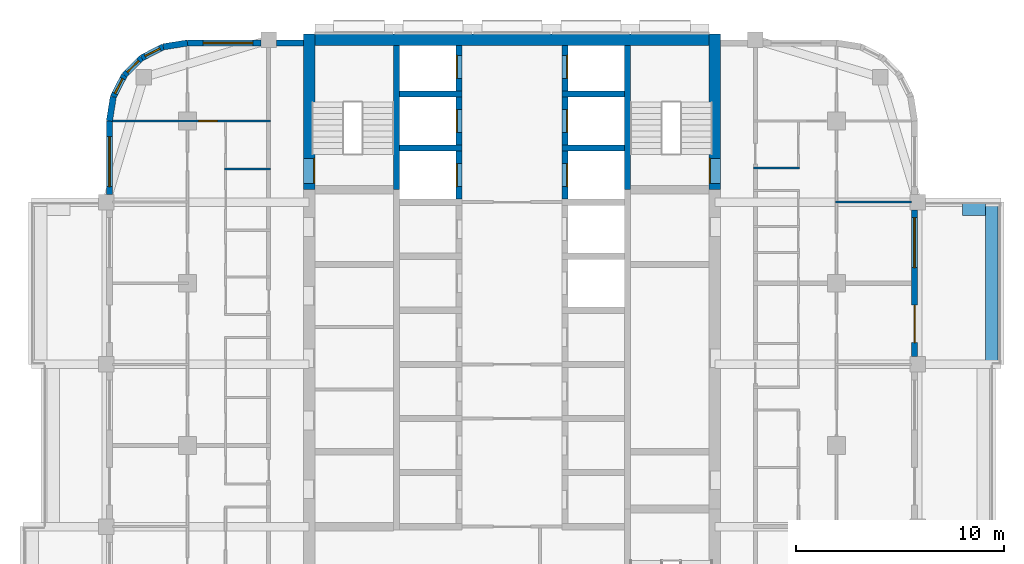
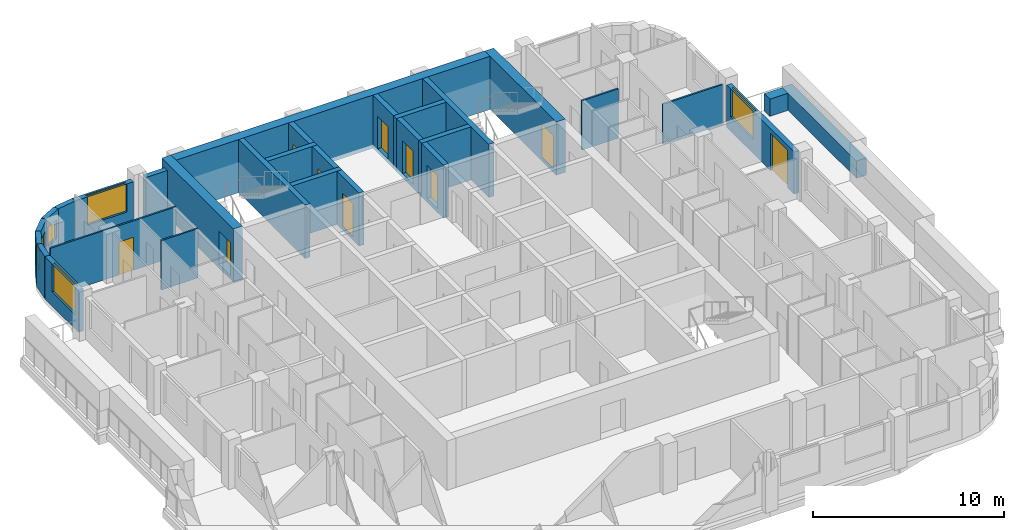
# One storey, part 8 of 13: 30 walls, 10 doors, 6 windows, 16 openings.
"""IFC4 building model written with IfcOpenShell, lengths in metres."""

from ifc_helpers import new_model, si_unit, direction, frame, frame_2d, origin, place, context, subcontext, project, spatial, rectangle, extrude, material, layer, layer_set, type_object, element, fill, save


model = new_model("IFC4")

# Units and contexts
model_context = context("Model", 3, precision=1e-05, world=origin(), true_north=direction((0.0, 1.0)))
body_context = subcontext(model_context, "Body", "Model", "MODEL_VIEW")
ifc_project = project(units=[si_unit("LENGTHUNIT", "METRE"), si_unit("AREAUNIT", "SQUARE_METRE"), si_unit("VOLUMEUNIT", "CUBIC_METRE"), si_unit("PLANEANGLEUNIT", "RADIAN"), si_unit("MASSUNIT", "GRAM", prefix="KILO")], contexts=[model_context])

# Site, building, storey
site_placement = place(None, origin())
site = spatial("IfcSite", under=ifc_project, at=site_placement, CompositionType="ELEMENT")
building_placement = place(site_placement, origin())
building = spatial("IfcBuilding", under=site, at=building_placement, Name="Ludao Terraces", CompositionType="ELEMENT")
storey_placement = place(building_placement, frame((0.0, 0.0, 186.0)))
storey = spatial("IfcBuildingStorey", under=building, at=storey_placement, Name="L50", CompositionType="ELEMENT", Elevation=186.0)

# Wall, opening, door
ifc_material_1 = material(Name="Concrete C60", Category="concrete")
ifc_layer_1 = layer(ifc_material_1, 0.550048828125)
ifc_layer_set_1 = layer_set([ifc_layer_1], Name="Core wall 550 C60")
wall_type_1 = type_object("IfcWallType", Name="Core wall 550 C60", PredefinedType="SOLIDWALL", material=ifc_layer_set_1)
wall_1_placement = place(storey_placement, frame((75.25, 77.300048828125, -0.25), z_axis=(0.0, 0.0, 1.0), x_axis=(0.0, 1.0, 0.0)))
wall_1 = element("IfcWall", 1, at=wall_1_placement, inside=storey, type_object=wall_type_1, Name="Core wall L50 outer-W-S1", PredefinedType="SOLIDWALL", context=body_context, shape_type="SweptSolid", body=[
    extrude(rectangle(XDim=7.474853515625, YDim=0.550048828125, at=frame_2d((3.7373046875, 0.0))), origin(), (0.0, 0.0, 1.0), 3.39990234375),
])
opening_1_placement = place(wall_1_placement, frame((0.300048828125, 0.0, 0.25)))
opening_1 = element("IfcOpeningElement", 2, at=opening_1_placement, cuts=wall_1, Name="Opening R18-077", PredefinedType="OPENING", context=body_context, shape_type="SweptSolid", body=[
    extrude(rectangle(XDim=1.199951171875, YDim=2.10009765625, at=frame_2d((0.60009765625, 1.050048828125))), frame((0.0, 0.28515625, 0.0), z_axis=(0.0, -1.0, 0.0), x_axis=(1.0, 0.0, 0.0)), (0.0, 0.0, 1.0), 0.570068359375),
])
ifc_material_2 = material(Name="Steel Q235", Category="steel")
door_type_1 = type_object("IfcDoorType", Name="INT Stair door 1200", OperationType="DOUBLE_DOOR_SINGLE_SWING", PredefinedType="DOOR", material=ifc_material_2)
door_1_placement = place(opening_1_placement, origin())
door_1 = element("IfcDoor", 3, at=door_1_placement, inside=storey, type_object=door_type_1, Name="DOOR 077", OperationType="DOUBLE_DOOR_SINGLE_SWING", OverallHeight=2.10009765625, OverallWidth=1.199951171875, PredefinedType="DOOR", context=body_context, shape_type="SweptSolid", body=[
    extrude(rectangle(XDim=1.199951171875, YDim=2.10009765625, at=frame_2d((0.60009765625, 1.050048828125))), frame((0.0, -0.2099609375, 0.0), z_axis=(0.0, -1.0, 0.0), x_axis=(1.0, 0.0, 0.0)), (0.0, 0.0, 1.0), 0.050048828125),
])
fill(opening_1, door_1)

wall_2_placement = place(storey_placement, frame((94.75, 77.300048828125, -0.25), z_axis=(0.0, 0.0, 1.0), x_axis=(0.0, 1.0, 0.0)))
wall_2 = element("IfcWall", 4, at=wall_2_placement, inside=storey, type_object=wall_type_1, Name="Core wall L50 outer-E-S2", PredefinedType="SOLIDWALL", context=body_context, shape_type="SweptSolid", body=[
    extrude(rectangle(XDim=7.474853515625, YDim=0.550048828125, at=frame_2d((3.7373046875, 0.0))), origin(), (0.0, 0.0, 1.0), 3.39990234375),
])
opening_2_placement = place(wall_2_placement, frame((0.300048828125, 0.0, 0.25)))
opening_2 = element("IfcOpeningElement", 5, at=opening_2_placement, cuts=wall_2, Name="Opening R18-078", PredefinedType="OPENING", context=body_context, shape_type="SweptSolid", body=[
    extrude(rectangle(XDim=1.199951171875, YDim=2.10009765625, at=frame_2d((0.60009765625, 1.050048828125))), frame((0.0, 0.28515625, 0.0), z_axis=(0.0, -1.0, 0.0), x_axis=(1.0, 0.0, 0.0)), (0.0, 0.0, 1.0), 0.570068359375),
])
door_2_placement = place(opening_2_placement, origin())
door_2 = element("IfcDoor", 6, at=door_2_placement, inside=storey, type_object=door_type_1, Name="DOOR 078", OperationType="DOUBLE_DOOR_SINGLE_SWING", OverallHeight=2.10009765625, OverallWidth=1.199951171875, PredefinedType="DOOR", context=body_context, shape_type="SweptSolid", body=[
    extrude(rectangle(XDim=1.199951171875, YDim=2.10009765625, at=frame_2d((0.60009765625, 1.050048828125))), frame((0.0, 0.26025390625, 0.0), z_axis=(0.0, -1.0, 0.0), x_axis=(1.0, 0.0, 0.0)), (0.0, 0.0, 1.0), 0.050048828125),
])
fill(opening_2, door_2)

# Walls
wall_3_placement = place(storey_placement, frame((75.52490234375, 84.5, -0.25), z_axis=(0.0, 0.0, 1.0), x_axis=(1.0, 0.0, 0.0)))
element("IfcWall", 7, at=wall_3_placement, inside=storey, type_object=wall_type_1, Name="Core wall L50 outer-N", PredefinedType="SOLIDWALL", context=body_context, shape_type="SweptSolid", body=[
    extrude(rectangle(XDim=18.9501953125, YDim=0.550048828125, at=frame_2d((9.47509765625, 0.0))), origin(), (0.0, 0.0, 1.0), 3.39990234375),
])
ifc_material_3 = material(Name="Concrete C40", Category="concrete")
ifc_layer_2 = layer(ifc_material_3, 0.60009765625)
ifc_layer_set_2 = layer_set([ifc_layer_2], Name="ENV Planter trough 600")
wall_type_2 = type_object("IfcWallType", Name="ENV Planter trough 600", PredefinedType="USERDEFINED", material=ifc_layer_set_2)
wall_4_placement = place(storey_placement, frame((108.050048828125, 68.89990234375, 0.0), z_axis=(0.0, 0.0, 1.0), x_axis=(0.0, 1.0, 0.0)))
element("IfcWall", 8, at=wall_4_placement, inside=storey, type_object=wall_type_2, Name="PL-L50-E3", ObjectType="PLANTER", PredefinedType="USERDEFINED", context=body_context, shape_type="SweptSolid", body=[
    extrude(rectangle(XDim=7.800048828125, YDim=0.60009765625, at=frame_2d((3.89990234375, 0.0))), origin(), (0.0, 0.0, 1.0), 1.10009765625),
])
wall_5_placement = place(storey_placement, frame((107.75, 76.35009765625, 0.0), z_axis=(0.0, 0.0, 1.0), x_axis=(-1.0, 0.0, 0.0)))
element("IfcWall", 9, at=wall_5_placement, inside=storey, type_object=wall_type_2, Name="PL-L50-E3-SB", ObjectType="PLANTER", PredefinedType="USERDEFINED", context=body_context, shape_type="SweptSolid", body=[
    extrude(rectangle(XDim=1.10009765625, YDim=0.60009765625, at=frame_2d((0.550048828125, 0.0))), origin(), (0.0, 0.0, 1.0), 1.10009765625),
])

# Wall, openings, door, window
ifc_material_4 = material(Name="Granite cladding", Category="masonry")
ifc_layer_3 = layer(ifc_material_4, 0.0400390625, Category="stone")
ifc_material_5 = material(Name="Mineral wool")
ifc_layer_4 = layer(ifc_material_5, 0.06005859375)
ifc_layer_5 = layer(ifc_material_3, 0.199951171875, Category="concrete")
ifc_layer_set_3 = layer_set([ifc_layer_3, ifc_layer_4, ifc_layer_5], Name="ENV Stone-clad wall 300")
wall_type_3 = type_object("IfcWallType", Name="ENV Stone-clad wall 300", PredefinedType="SOLIDWALL", material=ifc_layer_set_3)
wall_6_placement = place(storey_placement, frame((104.35009765625, 69.27490234375, 0.0), z_axis=(0.0, 0.0, 1.0), x_axis=(0.0, 1.0, 0.0)))
wall_6 = element("IfcWall", 10, at=wall_6_placement, inside=storey, type_object=wall_type_3, Name="EW-L50-E4", PredefinedType="SOLIDWALL", context=body_context, shape_type="SweptSolid", body=[
    extrude(rectangle(XDim=7.050048828125, YDim=0.300048828125, at=frame_2d((3.52490234375, 0.0))), origin(), (0.0, 0.0, 1.0), 2.699951171875),
])
opening_3_placement = place(wall_6_placement, frame((0.675048828125, 0.0, 0.0)))
opening_3 = element("IfcOpeningElement", 11, at=opening_3_placement, cuts=wall_6, Name="Opening BD", PredefinedType="OPENING", context=body_context, shape_type="SweptSolid", body=[
    extrude(rectangle(XDim=1.800048828125, YDim=2.39990234375, at=frame_2d((0.89990234375, 1.199951171875))), frame((0.0, 0.16015625, 0.0), z_axis=(0.0, -1.0, 0.0), x_axis=(1.0, 0.0, 0.0)), (0.0, 0.0, 1.0), 0.320068359375),
])
opening_4_placement = place(wall_6_placement, frame((4.27490234375, 0.0, 0.89990234375)))
opening_4 = element("IfcOpeningElement", 12, at=opening_4_placement, cuts=wall_6, Name="Opening W1", PredefinedType="OPENING", context=body_context, shape_type="SweptSolid", body=[
    extrude(rectangle(XDim=2.39990234375, YDim=1.800048828125, at=frame_2d((1.199951171875, 0.89990234375))), frame((0.0, 0.16015625, 0.0), z_axis=(0.0, -1.0, 0.0), x_axis=(1.0, 0.0, 0.0)), (0.0, 0.0, 1.0), 0.320068359375),
])
ifc_material_6 = material(Name="Aluminium glazed door", Category="aluminium")
ifc_layer_6 = layer(ifc_material_6, 0.06005859375)
ifc_layer_set_4 = layer_set([ifc_layer_6], Name="ENV Balcony door BD 1800x2400")
door_type_2 = type_object("IfcDoorType", Name="ENV Balcony door BD 1800x2400", OperationType="DOUBLE_DOOR_SINGLE_SWING", PredefinedType="DOOR", material=ifc_layer_set_4)
door_3_placement = place(opening_3_placement, origin())
door_3 = element("IfcDoor", 13, at=door_3_placement, inside=storey, type_object=door_type_2, Name="BD-L50-E4-1", OperationType="DOUBLE_DOOR_SINGLE_SWING", OverallHeight=2.39990234375, OverallWidth=1.800048828125, PredefinedType="DOOR", context=body_context, shape_type="SweptSolid", body=[
    extrude(rectangle(XDim=1.800048828125, YDim=2.39990234375, at=frame_2d((0.89990234375, 1.199951171875))), frame((0.0, 0.02490234375, 0.0), z_axis=(0.0, -1.0, 0.0), x_axis=(1.0, 0.0, 0.0)), (0.0, 0.0, 1.0), 0.050048828125),
])
fill(opening_3, door_3)
ifc_material_7 = material(Name="Clear glass in aluminium frame", Category="aluminium")
ifc_layer_7 = layer(ifc_material_7, 0.06005859375)
ifc_layer_set_5 = layer_set([ifc_layer_7], Name="ENV Window W1 2400x1800")
window_type_1 = type_object("IfcWindowType", Name="ENV Window W1 2400x1800", PartitioningType="DOUBLE_PANEL_VERTICAL", PredefinedType="WINDOW", material=ifc_layer_set_5)
window_1_placement = place(opening_4_placement, origin())
window_1 = element("IfcWindow", 14, at=window_1_placement, inside=storey, type_object=window_type_1, Name="W-L50-E4-2", OverallHeight=1.800048828125, OverallWidth=2.39990234375, PartitioningType="DOUBLE_PANEL_VERTICAL", PredefinedType="WINDOW", context=body_context, shape_type="SweptSolid", body=[
    extrude(rectangle(XDim=2.39990234375, YDim=1.800048828125, at=frame_2d((1.199951171875, 0.89990234375))), frame((0.0, 0.030029296875, 0.0), z_axis=(0.0, -1.0, 0.0), x_axis=(1.0, 0.0, 0.0)), (0.0, 0.0, 1.0), 0.06005859375),
])
fill(opening_4, window_1)

# Wall, opening, window
wall_7_placement = place(storey_placement, frame((69.39990234375, 84.35009765625, 0.0), z_axis=(0.0, 0.0, 1.0), x_axis=(1.0, 0.0, 0.0)))
wall_7 = element("IfcWall", 15, at=wall_7_placement, inside=storey, type_object=wall_type_3, Name="EW-L50-N1", PredefinedType="SOLIDWALL", context=body_context, shape_type="SweptSolid", body=[
    extrude(rectangle(XDim=3.525146484375, YDim=0.300048828125, at=frame_2d((1.7626953125, 0.0))), origin(), (0.0, 0.0, 1.0), 2.699951171875),
])
opening_5_placement = place(wall_7_placement, frame((0.75, 0.0, 0.89990234375)))
opening_5 = element("IfcOpeningElement", 16, at=opening_5_placement, cuts=wall_7, Name="Opening W1", PredefinedType="OPENING", context=body_context, shape_type="SweptSolid", body=[
    extrude(rectangle(XDim=2.39990234375, YDim=1.800048828125, at=frame_2d((1.199951171875, 0.89990234375))), frame((0.0, 0.16015625, 0.0), z_axis=(0.0, -1.0, 0.0), x_axis=(1.0, 0.0, 0.0)), (0.0, 0.0, 1.0), 0.320068359375),
])
window_2_placement = place(opening_5_placement, origin())
window_2 = element("IfcWindow", 17, at=window_2_placement, inside=storey, type_object=window_type_1, Name="W-L50-N1-1", OverallHeight=1.800048828125, OverallWidth=2.39990234375, PartitioningType="DOUBLE_PANEL_VERTICAL", PredefinedType="WINDOW", context=body_context, shape_type="SweptSolid", body=[
    extrude(rectangle(XDim=2.39990234375, YDim=1.800048828125, at=frame_2d((1.199951171875, 0.89990234375))), frame((0.0, 0.030029296875, 0.0), z_axis=(0.0, -1.0, 0.0), x_axis=(1.0, 0.0, 0.0)), (0.0, 0.0, 1.0), 0.06005859375),
])
fill(opening_5, window_2)

# Wall
wall_8_placement = place(storey_placement, frame((73.675048828125, 84.35009765625, 0.0), z_axis=(0.0, 0.0, 1.0), x_axis=(1.0, 0.0, 0.0)))
element("IfcWall", 18, at=wall_8_placement, inside=storey, type_object=wall_type_3, Name="EW-L50-N2", PredefinedType="SOLIDWALL", context=body_context, shape_type="SweptSolid", body=[
    extrude(rectangle(XDim=1.300048828125, YDim=0.300048828125, at=frame_2d((0.64990234375, 0.0))), origin(), (0.0, 0.0, 1.0), 2.699951171875),
])

# Wall, opening, window
wall_9_placement = place(storey_placement, frame((65.64990234375, 77.074951171875, 0.0), z_axis=(0.0, 0.0, 1.0), x_axis=(0.0, 1.0, 0.0)))
wall_9 = element("IfcWall", 19, at=wall_9_placement, inside=storey, type_object=wall_type_3, Name="EW-L50-W5", PredefinedType="SOLIDWALL", context=body_context, shape_type="SweptSolid", body=[
    extrude(rectangle(XDim=3.525146484375, YDim=0.300048828125, at=frame_2d((1.7626953125, 0.0))), origin(), (0.0, 0.0, 1.0), 2.699951171875),
])
opening_6_placement = place(wall_9_placement, frame((0.375, 0.0, 0.89990234375)))
opening_6 = element("IfcOpeningElement", 20, at=opening_6_placement, cuts=wall_9, Name="Opening W1", PredefinedType="OPENING", context=body_context, shape_type="SweptSolid", body=[
    extrude(rectangle(XDim=2.39990234375, YDim=1.800048828125, at=frame_2d((1.199951171875, 0.89990234375))), frame((0.0, 0.16015625, 0.0), z_axis=(0.0, -1.0, 0.0), x_axis=(1.0, 0.0, 0.0)), (0.0, 0.0, 1.0), 0.320068359375),
])
window_3_placement = place(opening_6_placement, origin())
window_3 = element("IfcWindow", 21, at=window_3_placement, inside=storey, type_object=window_type_1, Name="W-L50-W5-1", OverallHeight=1.800048828125, OverallWidth=2.39990234375, PartitioningType="DOUBLE_PANEL_VERTICAL", PredefinedType="WINDOW", context=body_context, shape_type="SweptSolid", body=[
    extrude(rectangle(XDim=2.39990234375, YDim=1.800048828125, at=frame_2d((1.199951171875, 0.89990234375))), frame((0.0, 0.030029296875, 0.0), z_axis=(0.0, -1.0, 0.0), x_axis=(1.0, 0.0, 0.0)), (0.0, 0.0, 1.0), 0.06005859375),
])
fill(opening_6, window_3)

# Wall
wall_10_placement = place(storey_placement, frame((69.39990234375, 84.35009765625, 0.0), z_axis=(0.0, 0.0, 1.0), x_axis=(-0.987678452879, -0.156496880861, 0.0)))
element("IfcWall", 22, at=wall_10_placement, inside=storey, type_object=wall_type_3, Name="EW-L50-NW1", PredefinedType="SOLIDWALL", context=body_context, shape_type="SweptSolid", body=[
    extrude(rectangle(XDim=1.173095703125, YDim=0.300048828125, at=frame_2d((0.58642578125, 0.0))), origin(), (0.0, 0.0, 1.0), 2.699951171875),
])

# Wall, opening, window
wall_11_placement = place(storey_placement, frame((68.2412109375, 84.16650390625, 0.0), z_axis=(0.0, 0.0, 1.0), x_axis=(-0.890988677504, -0.454025524128, 0.0)))
wall_11 = element("IfcWall", 23, at=wall_11_placement, inside=storey, type_object=wall_type_3, Name="EW-L50-NW2", PredefinedType="SOLIDWALL", context=body_context, shape_type="SweptSolid", body=[
    extrude(rectangle(XDim=1.17333984375, YDim=0.300048828125, at=frame_2d((0.586669921875, 0.0))), origin(), (0.0, 0.0, 1.0), 2.699951171875),
])
opening_7_placement = place(wall_11_placement, frame((0.1865234375, 0.0, 0.89990234375)))
opening_7 = element("IfcOpeningElement", 24, at=opening_7_placement, cuts=wall_11, Name="Opening W3", PredefinedType="OPENING", context=body_context, shape_type="SweptSolid", body=[
    extrude(rectangle(XDim=0.800048828125, YDim=1.199951171875, at=frame_2d((0.39990234375, 0.60009765625))), frame((0.0, 0.16015625, 0.0), z_axis=(0.0, -1.0, 0.0), x_axis=(1.0, 0.0, 0.0)), (0.0, 0.0, 1.0), 0.320068359375),
])
ifc_layer_8 = layer(ifc_material_7, 0.06005859375)
ifc_layer_set_6 = layer_set([ifc_layer_8], Name="ENV Window W3 800x1200")
window_type_2 = type_object("IfcWindowType", Name="ENV Window W3 800x1200", PartitioningType="SINGLE_PANEL", PredefinedType="WINDOW", material=ifc_layer_set_6)
window_4_placement = place(opening_7_placement, origin())
window_4 = element("IfcWindow", 25, at=window_4_placement, inside=storey, type_object=window_type_2, Name="W-L50-NW2", OverallHeight=1.199951171875, OverallWidth=0.800048828125, PartitioningType="SINGLE_PANEL", PredefinedType="WINDOW", context=body_context, shape_type="SweptSolid", body=[
    extrude(rectangle(XDim=0.800048828125, YDim=1.199951171875, at=frame_2d((0.39990234375, 0.60009765625))), frame((0.0, 0.030029296875, 0.0), z_axis=(0.0, -1.0, 0.0), x_axis=(1.0, 0.0, 0.0)), (0.0, 0.0, 1.0), 0.06005859375),
])
fill(opening_7, window_4)

wall_12_placement = place(storey_placement, frame((67.19580078125, 83.6337890625, 0.0), z_axis=(0.0, 0.0, 1.0), x_axis=(-0.707106781187, -0.707106781187, 0.0)))
wall_12 = element("IfcWall", 26, at=wall_12_placement, inside=storey, type_object=wall_type_3, Name="EW-L50-NW3", PredefinedType="SOLIDWALL", context=body_context, shape_type="SweptSolid", body=[
    extrude(rectangle(XDim=1.173095703125, YDim=0.300048828125, at=frame_2d((0.58642578125, 0.0))), origin(), (0.0, 0.0, 1.0), 2.699951171875),
])
opening_8_placement = place(wall_12_placement, frame((0.1865234375, 0.0, 0.89990234375)))
opening_8 = element("IfcOpeningElement", 27, at=opening_8_placement, cuts=wall_12, Name="Opening W3", PredefinedType="OPENING", context=body_context, shape_type="SweptSolid", body=[
    extrude(rectangle(XDim=0.800048828125, YDim=1.199951171875, at=frame_2d((0.39990234375, 0.60009765625))), frame((0.0, 0.16015625, 0.0), z_axis=(0.0, -1.0, 0.0), x_axis=(1.0, 0.0, 0.0)), (0.0, 0.0, 1.0), 0.320068359375),
])
window_5_placement = place(opening_8_placement, origin())
window_5 = element("IfcWindow", 28, at=window_5_placement, inside=storey, type_object=window_type_2, Name="W-L50-NW3", OverallHeight=1.199951171875, OverallWidth=0.800048828125, PartitioningType="SINGLE_PANEL", PredefinedType="WINDOW", context=body_context, shape_type="SweptSolid", body=[
    extrude(rectangle(XDim=0.800048828125, YDim=1.199951171875, at=frame_2d((0.39990234375, 0.60009765625))), frame((0.0, 0.030029296875, 0.0), z_axis=(0.0, -1.0, 0.0), x_axis=(1.0, 0.0, 0.0)), (0.0, 0.0, 1.0), 0.06005859375),
])
fill(opening_8, window_5)

wall_13_placement = place(storey_placement, frame((66.3662109375, 82.80419921875, 0.0), z_axis=(0.0, 0.0, 1.0), x_axis=(-0.454025524128, -0.890988677504, 0.0)))
wall_13 = element("IfcWall", 29, at=wall_13_placement, inside=storey, type_object=wall_type_3, Name="EW-L50-NW4", PredefinedType="SOLIDWALL", context=body_context, shape_type="SweptSolid", body=[
    extrude(rectangle(XDim=1.17333984375, YDim=0.300048828125, at=frame_2d((0.586669921875, 0.0))), origin(), (0.0, 0.0, 1.0), 2.699951171875),
])
opening_9_placement = place(wall_13_placement, frame((0.1865234375, 0.0, 0.89990234375)))
opening_9 = element("IfcOpeningElement", 30, at=opening_9_placement, cuts=wall_13, Name="Opening W3", PredefinedType="OPENING", context=body_context, shape_type="SweptSolid", body=[
    extrude(rectangle(XDim=0.800048828125, YDim=1.199951171875, at=frame_2d((0.39990234375, 0.60009765625))), frame((0.0, 0.16015625, 0.0), z_axis=(0.0, -1.0, 0.0), x_axis=(1.0, 0.0, 0.0)), (0.0, 0.0, 1.0), 0.320068359375),
])
window_6_placement = place(opening_9_placement, origin())
window_6 = element("IfcWindow", 31, at=window_6_placement, inside=storey, type_object=window_type_2, Name="W-L50-NW4", OverallHeight=1.199951171875, OverallWidth=0.800048828125, PartitioningType="SINGLE_PANEL", PredefinedType="WINDOW", context=body_context, shape_type="SweptSolid", body=[
    extrude(rectangle(XDim=0.800048828125, YDim=1.199951171875, at=frame_2d((0.39990234375, 0.60009765625))), frame((0.0, 0.030029296875, 0.0), z_axis=(0.0, -1.0, 0.0), x_axis=(1.0, 0.0, 0.0)), (0.0, 0.0, 1.0), 0.06005859375),
])
fill(opening_9, window_6)

# Walls
wall_14_placement = place(storey_placement, frame((65.83349609375, 81.7587890625, 0.0), z_axis=(0.0, 0.0, 1.0), x_axis=(-0.156496880861, -0.987678452879, 0.0)))
element("IfcWall", 32, at=wall_14_placement, inside=storey, type_object=wall_type_3, Name="EW-L50-NW5", PredefinedType="SOLIDWALL", context=body_context, shape_type="SweptSolid", body=[
    extrude(rectangle(XDim=1.173095703125, YDim=0.300048828125, at=frame_2d((0.58642578125, 0.0))), origin(), (0.0, 0.0, 1.0), 2.699951171875),
])
ifc_material_8 = material(Name="Gypsum plasterboard", Category="gypsum")
ifc_layer_9 = layer(ifc_material_8, 0.012451171875, Category="gypsum")
ifc_layer_10 = layer(ifc_material_5, 0.06005859375, Name="insulation")
ifc_layer_11 = layer(ifc_material_2, 0.014892578125, Name="stud")
ifc_layer_12 = layer(ifc_material_8, 0.012451171875, Category="gypsum")
ifc_layer_set_7 = layer_set([ifc_layer_9, ifc_layer_10, ifc_layer_11, ifc_layer_12], Name="INT Partition 100")
wall_type_4 = type_object("IfcWallType", Name="INT Partition 100", PredefinedType="PARTITIONING", material=ifc_layer_set_7)
wall_15_placement = place(storey_placement, frame((100.550048828125, 76.699951171875, 0.0), z_axis=(0.0, 0.0, 1.0), x_axis=(1.0, 0.0, 0.0)))
element("IfcWall", 33, at=wall_15_placement, inside=storey, type_object=wall_type_4, Name="PW-L50-PW043", PredefinedType="PARTITIONING", context=body_context, shape_type="SweptSolid", body=[
    extrude(rectangle(XDim=3.650146484375, YDim=0.10009765625, at=frame_2d((1.8251953125, 0.0))), origin(), (0.0, 0.0, 1.0), 2.550048828125),
])
for number, where, z_axis, x_axis, name in (
    (34, (71.18017578125, 78.300048828125, 0.0), (0.0, 0.0, 1.0), (1.0, 0.0, 0.0), "PW-L50-PW045"),
    (35, (96.60009765625, 78.35009765625, 0.0), (0.0, 0.0, 1.0), (1.0, 0.0, 0.0), "PW-L50-PW046"),
):
    element("IfcWall", number, at=place(storey_placement, frame(where, z_axis=z_axis, x_axis=x_axis)), inside=storey, type_object=wall_type_4, Name=name, PredefinedType="PARTITIONING", context=body_context, shape_type="SweptSolid", body=[
        extrude(rectangle(XDim=2.219970703125, YDim=0.10009765625, at=frame_2d((1.10986328125, 0.0))), origin(), (0.0, 0.0, 1.0), 3.14990234375),
    ])

# Wall, opening, door
wall_16_placement = place(storey_placement, frame((65.800048828125, 80.60009765625, 0.0), z_axis=(0.0, 0.0, 1.0), x_axis=(1.0, 0.0, 0.0)))
wall_16 = element("IfcWall", 36, at=wall_16_placement, inside=storey, type_object=wall_type_4, Name="PW-L50-PW047", PredefinedType="PARTITIONING", context=body_context, shape_type="SweptSolid", body=[
    extrude(rectangle(XDim=7.60009765625, YDim=0.10009765625, at=frame_2d((3.800048828125, 0.0))), origin(), (0.0, 0.0, 1.0), 3.14990234375),
])
opening_10_placement = place(wall_16_placement, frame((4.139892578125, 0.0, 0.0)))
opening_10 = element("IfcOpeningElement", 37, at=opening_10_placement, cuts=wall_16, Name="Opening R18-084", PredefinedType="OPENING", context=body_context, shape_type="SweptSolid", body=[
    extrude(rectangle(XDim=0.89990234375, YDim=2.10009765625, at=frame_2d((0.449951171875, 1.050048828125))), frame((0.0, 0.06005859375, 0.0), z_axis=(0.0, -1.0, 0.0), x_axis=(1.0, 0.0, 0.0)), (0.0, 0.0, 1.0), 0.1201171875),
])
ifc_material_9 = material(Name="Timber door leaf", Category="wood")
door_type_3 = type_object("IfcDoorType", Name="INT Room door 900", OperationType="SINGLE_SWING_LEFT", PredefinedType="DOOR", material=ifc_material_9)
door_4_placement = place(opening_10_placement, origin())
door_4 = element("IfcDoor", 38, at=door_4_placement, inside=storey, type_object=door_type_3, Name="DOOR 084", OperationType="SINGLE_SWING_LEFT", OverallHeight=2.10009765625, OverallWidth=0.89990234375, PredefinedType="DOOR", context=body_context, shape_type="SweptSolid", body=[
    extrude(rectangle(XDim=0.89990234375, YDim=2.10009765625, at=frame_2d((0.449951171875, 1.050048828125))), frame((0.0, 0.02490234375, 0.0), z_axis=(0.0, -1.0, 0.0), x_axis=(1.0, 0.0, 0.0)), (0.0, 0.0, 1.0), 0.050048828125),
])
fill(opening_10, door_4)

# Walls
ifc_material_10 = material(Name="Concrete C55", Category="concrete")
ifc_layer_13 = layer(ifc_material_10, 0.300048828125)
ifc_layer_set_8 = layer_set([ifc_layer_13], Name="Shaft wall 300 C55")
wall_type_5 = type_object("IfcWallType", Name="Shaft wall 300 C55", PredefinedType="SOLIDWALL", material=ifc_layer_set_8)
for number, where, z_axis, x_axis, name in (
    (39, (79.449951171875, 77.300048828125, -0.25), (0.0, 0.0, 1.0), (0.0, 1.0, 0.0), "Core wall L50 back-W-S1"),
    (40, (90.550048828125, 77.300048828125, -0.25), (0.0, 0.0, 1.0), (0.0, 1.0, 0.0), "Core wall L50 back-E-S2"),
):
    element("IfcWall", number, at=place(storey_placement, frame(where, z_axis=z_axis, x_axis=x_axis)), inside=storey, type_object=wall_type_5, Name=name, PredefinedType="SOLIDWALL", context=body_context, shape_type="SweptSolid", body=[
        extrude(rectangle(XDim=6.925048828125, YDim=0.300048828125, at=frame_2d((3.46240234375, 0.0))), origin(), (0.0, 0.0, 1.0), 3.39990234375),
    ])

# Wall, opening, door
wall_17_placement = place(storey_placement, frame((82.449951171875, 76.85009765625, -0.25), z_axis=(0.0, 0.0, 1.0), x_axis=(0.0, 1.0, 0.0)))
wall_17 = element("IfcWall", 41, at=wall_17_placement, inside=storey, type_object=wall_type_5, Name="Core wall L50 front-W7", PredefinedType="SOLIDWALL", context=body_context, shape_type="SweptSolid", body=[
    extrude(rectangle(XDim=2.2998046875, YDim=0.300048828125, at=frame_2d((1.14990234375, 0.0))), origin(), (0.0, 0.0, 1.0), 3.39990234375),
])
opening_11_placement = place(wall_17_placement, frame((0.60009765625, 0.0, 0.25)))
opening_11 = element("IfcOpeningElement", 42, at=opening_11_placement, cuts=wall_17, Name="Opening LD-FF1", PredefinedType="OPENING", context=body_context, shape_type="SweptSolid", body=[
    extrude(rectangle(XDim=1.10009765625, YDim=2.10009765625, at=frame_2d((0.550048828125, 1.050048828125))), frame((0.0, 0.16015625, 0.0), z_axis=(0.0, -1.0, 0.0), x_axis=(1.0, 0.0, 0.0)), (0.0, 0.0, 1.0), 0.320068359375),
])
ifc_material_11 = material(Name="Stainless steel 304", Category="steel")
door_type_4 = type_object("IfcDoorType", Name="INT Lift landing door 1100", OperationType="SLIDING_TO_LEFT", PredefinedType="DOOR", material=ifc_material_11)
door_5_placement = place(opening_11_placement, origin())
door_5 = element("IfcDoor", 43, at=door_5_placement, inside=storey, type_object=door_type_4, Name="LANDING DOOR FF1 L50", OperationType="SLIDING_TO_LEFT", OverallHeight=2.10009765625, OverallWidth=1.10009765625, PredefinedType="DOOR", context=body_context, shape_type="SweptSolid", body=[
    extrude(rectangle(XDim=1.10009765625, YDim=2.10009765625, at=frame_2d((0.550048828125, 1.050048828125))), frame((0.0, 0.13525390625, 0.0), z_axis=(0.0, -1.0, 0.0), x_axis=(1.0, 0.0, 0.0)), (0.0, 0.0, 1.0), 0.050048828125),
])
fill(opening_11, door_5)

# Wall
wall_18_placement = place(storey_placement, frame((79.60009765625, 79.300048828125, -0.25), z_axis=(0.0, 0.0, 1.0), x_axis=(1.0, 0.0, 0.0)))
element("IfcWall", 44, at=wall_18_placement, inside=storey, type_object=wall_type_5, Name="Core wall L50 div-W8", PredefinedType="SOLIDWALL", context=body_context, shape_type="SweptSolid", body=[
    extrude(rectangle(XDim=3.0, YDim=0.300048828125, at=frame_2d((1.5, 0.0))), origin(), (0.0, 0.0, 1.0), 3.39990234375),
])

# Wall, opening, door
wall_19_placement = place(storey_placement, frame((82.449951171875, 79.449951171875, -0.25), z_axis=(0.0, 0.0, 1.0), x_axis=(0.0, 1.0, 0.0)))
wall_19 = element("IfcWall", 45, at=wall_19_placement, inside=storey, type_object=wall_type_5, Name="Core wall L50 front-W8", PredefinedType="SOLIDWALL", context=body_context, shape_type="SweptSolid", body=[
    extrude(rectangle(XDim=2.300048828125, YDim=0.300048828125, at=frame_2d((1.14990234375, 0.0))), origin(), (0.0, 0.0, 1.0), 3.39990234375),
])
opening_12_placement = place(wall_19_placement, frame((0.60009765625, 0.0, 0.25)))
opening_12 = element("IfcOpeningElement", 46, at=opening_12_placement, cuts=wall_19, Name="Opening LD-FF2", PredefinedType="OPENING", context=body_context, shape_type="SweptSolid", body=[
    extrude(rectangle(XDim=1.10009765625, YDim=2.10009765625, at=frame_2d((0.550048828125, 1.050048828125))), frame((0.0, 0.16015625, 0.0), z_axis=(0.0, -1.0, 0.0), x_axis=(1.0, 0.0, 0.0)), (0.0, 0.0, 1.0), 0.320068359375),
])
door_6_placement = place(opening_12_placement, origin())
door_6 = element("IfcDoor", 47, at=door_6_placement, inside=storey, type_object=door_type_4, Name="LANDING DOOR FF2 L50", OperationType="SLIDING_TO_LEFT", OverallHeight=2.10009765625, OverallWidth=1.10009765625, PredefinedType="DOOR", context=body_context, shape_type="SweptSolid", body=[
    extrude(rectangle(XDim=1.10009765625, YDim=2.10009765625, at=frame_2d((0.550048828125, 1.050048828125))), frame((0.0, 0.13525390625, 0.0), z_axis=(0.0, -1.0, 0.0), x_axis=(1.0, 0.0, 0.0)), (0.0, 0.0, 1.0), 0.050048828125),
])
fill(opening_12, door_6)

# Wall
wall_20_placement = place(storey_placement, frame((79.60009765625, 81.89990234375, -0.25), z_axis=(0.0, 0.0, 1.0), x_axis=(1.0, 0.0, 0.0)))
element("IfcWall", 48, at=wall_20_placement, inside=storey, type_object=wall_type_5, Name="Core wall L50 div-W9", PredefinedType="SOLIDWALL", context=body_context, shape_type="SweptSolid", body=[
    extrude(rectangle(XDim=3.0, YDim=0.300048828125, at=frame_2d((1.5, 0.0))), origin(), (0.0, 0.0, 1.0), 3.39990234375),
])

# Wall, opening, door
wall_21_placement = place(storey_placement, frame((82.449951171875, 82.050048828125, -0.25), z_axis=(0.0, 0.0, 1.0), x_axis=(0.0, 1.0, 0.0)))
wall_21 = element("IfcWall", 49, at=wall_21_placement, inside=storey, type_object=wall_type_5, Name="Core wall L50 front-W9", PredefinedType="SOLIDWALL", context=body_context, shape_type="SweptSolid", body=[
    extrude(rectangle(XDim=2.175048828125, YDim=0.300048828125, at=frame_2d((1.08740234375, 0.0))), origin(), (0.0, 0.0, 1.0), 3.39990234375),
])
opening_13_placement = place(wall_21_placement, frame((0.60009765625, 0.0, 0.25)))
opening_13 = element("IfcOpeningElement", 50, at=opening_13_placement, cuts=wall_21, Name="Opening LD-LB6", PredefinedType="OPENING", context=body_context, shape_type="SweptSolid", body=[
    extrude(rectangle(XDim=1.10009765625, YDim=2.10009765625, at=frame_2d((0.550048828125, 1.050048828125))), frame((0.0, 0.16015625, 0.0), z_axis=(0.0, -1.0, 0.0), x_axis=(1.0, 0.0, 0.0)), (0.0, 0.0, 1.0), 0.320068359375),
])
door_7_placement = place(opening_13_placement, origin())
door_7 = element("IfcDoor", 51, at=door_7_placement, inside=storey, type_object=door_type_4, Name="LANDING DOOR LB6 L50", OperationType="SLIDING_TO_RIGHT", OverallHeight=2.10009765625, OverallWidth=1.10009765625, PredefinedType="DOOR", context=body_context, shape_type="SweptSolid", body=[
    extrude(rectangle(XDim=1.10009765625, YDim=2.10009765625, at=frame_2d((0.550048828125, 1.050048828125))), frame((0.0, 0.13525390625, 0.0), z_axis=(0.0, -1.0, 0.0), x_axis=(1.0, 0.0, 0.0)), (0.0, 0.0, 1.0), 0.050048828125),
])
fill(opening_13, door_7)

wall_22_placement = place(storey_placement, frame((87.550048828125, 76.85009765625, -0.25), z_axis=(0.0, 0.0, 1.0), x_axis=(0.0, 1.0, 0.0)))
wall_22 = element("IfcWall", 52, at=wall_22_placement, inside=storey, type_object=wall_type_5, Name="Core wall L50 front-E7", PredefinedType="SOLIDWALL", context=body_context, shape_type="SweptSolid", body=[
    extrude(rectangle(XDim=2.2998046875, YDim=0.300048828125, at=frame_2d((1.14990234375, 0.0))), origin(), (0.0, 0.0, 1.0), 3.39990234375),
])
opening_14_placement = place(wall_22_placement, frame((0.60009765625, 0.0, 0.25)))
opening_14 = element("IfcOpeningElement", 53, at=opening_14_placement, cuts=wall_22, Name="Opening LD-LB3", PredefinedType="OPENING", context=body_context, shape_type="SweptSolid", body=[
    extrude(rectangle(XDim=1.10009765625, YDim=2.10009765625, at=frame_2d((0.550048828125, 1.050048828125))), frame((0.0, 0.16015625, 0.0), z_axis=(0.0, -1.0, 0.0), x_axis=(1.0, 0.0, 0.0)), (0.0, 0.0, 1.0), 0.320068359375),
])
door_8_placement = place(opening_14_placement, origin())
door_8 = element("IfcDoor", 54, at=door_8_placement, inside=storey, type_object=door_type_4, Name="LANDING DOOR LB3 L50", OperationType="SLIDING_TO_LEFT", OverallHeight=2.10009765625, OverallWidth=1.10009765625, PredefinedType="DOOR", context=body_context, shape_type="SweptSolid", body=[
    extrude(rectangle(XDim=1.10009765625, YDim=2.10009765625, at=frame_2d((0.550048828125, 1.050048828125))), frame((0.0, -0.0849609375, 0.0), z_axis=(0.0, -1.0, 0.0), x_axis=(1.0, 0.0, 0.0)), (0.0, 0.0, 1.0), 0.050048828125),
])
fill(opening_14, door_8)

# Wall
wall_23_placement = place(storey_placement, frame((87.39990234375, 79.300048828125, -0.25), z_axis=(0.0, 0.0, 1.0), x_axis=(1.0, 0.0, 0.0)))
element("IfcWall", 55, at=wall_23_placement, inside=storey, type_object=wall_type_5, Name="Core wall L50 div-E8", PredefinedType="SOLIDWALL", context=body_context, shape_type="SweptSolid", body=[
    extrude(rectangle(XDim=3.0, YDim=0.300048828125, at=frame_2d((1.5, 0.0))), origin(), (0.0, 0.0, 1.0), 3.39990234375),
])

# Wall, opening, door
wall_24_placement = place(storey_placement, frame((87.550048828125, 79.449951171875, -0.25), z_axis=(0.0, 0.0, 1.0), x_axis=(0.0, 1.0, 0.0)))
wall_24 = element("IfcWall", 56, at=wall_24_placement, inside=storey, type_object=wall_type_5, Name="Core wall L50 front-E8", PredefinedType="SOLIDWALL", context=body_context, shape_type="SweptSolid", body=[
    extrude(rectangle(XDim=2.300048828125, YDim=0.300048828125, at=frame_2d((1.14990234375, 0.0))), origin(), (0.0, 0.0, 1.0), 3.39990234375),
])
opening_15_placement = place(wall_24_placement, frame((0.60009765625, 0.0, 0.25)))
opening_15 = element("IfcOpeningElement", 57, at=opening_15_placement, cuts=wall_24, Name="Opening LD-LB4", PredefinedType="OPENING", context=body_context, shape_type="SweptSolid", body=[
    extrude(rectangle(XDim=1.10009765625, YDim=2.10009765625, at=frame_2d((0.550048828125, 1.050048828125))), frame((0.0, 0.16015625, 0.0), z_axis=(0.0, -1.0, 0.0), x_axis=(1.0, 0.0, 0.0)), (0.0, 0.0, 1.0), 0.320068359375),
])
door_9_placement = place(opening_15_placement, origin())
door_9 = element("IfcDoor", 58, at=door_9_placement, inside=storey, type_object=door_type_4, Name="LANDING DOOR LB4 L50", OperationType="SLIDING_TO_RIGHT", OverallHeight=2.10009765625, OverallWidth=1.10009765625, PredefinedType="DOOR", context=body_context, shape_type="SweptSolid", body=[
    extrude(rectangle(XDim=1.10009765625, YDim=2.10009765625, at=frame_2d((0.550048828125, 1.050048828125))), frame((0.0, -0.0849609375, 0.0), z_axis=(0.0, -1.0, 0.0), x_axis=(1.0, 0.0, 0.0)), (0.0, 0.0, 1.0), 0.050048828125),
])
fill(opening_15, door_9)

# Wall
wall_25_placement = place(storey_placement, frame((87.39990234375, 81.89990234375, -0.25), z_axis=(0.0, 0.0, 1.0), x_axis=(1.0, 0.0, 0.0)))
element("IfcWall", 59, at=wall_25_placement, inside=storey, type_object=wall_type_5, Name="Core wall L50 div-E9", PredefinedType="SOLIDWALL", context=body_context, shape_type="SweptSolid", body=[
    extrude(rectangle(XDim=3.0, YDim=0.300048828125, at=frame_2d((1.5, 0.0))), origin(), (0.0, 0.0, 1.0), 3.39990234375),
])

# Wall, opening, door
wall_26_placement = place(storey_placement, frame((87.550048828125, 82.050048828125, -0.25), z_axis=(0.0, 0.0, 1.0), x_axis=(0.0, 1.0, 0.0)))
wall_26 = element("IfcWall", 60, at=wall_26_placement, inside=storey, type_object=wall_type_5, Name="Core wall L50 front-E9", PredefinedType="SOLIDWALL", context=body_context, shape_type="SweptSolid", body=[
    extrude(rectangle(XDim=2.175048828125, YDim=0.300048828125, at=frame_2d((1.08740234375, 0.0))), origin(), (0.0, 0.0, 1.0), 3.39990234375),
])
opening_16_placement = place(wall_26_placement, frame((0.60009765625, 0.0, 0.25)))
opening_16 = element("IfcOpeningElement", 61, at=opening_16_placement, cuts=wall_26, Name="Opening LD-LB5", PredefinedType="OPENING", context=body_context, shape_type="SweptSolid", body=[
    extrude(rectangle(XDim=1.10009765625, YDim=2.10009765625, at=frame_2d((0.550048828125, 1.050048828125))), frame((0.0, 0.16015625, 0.0), z_axis=(0.0, -1.0, 0.0), x_axis=(1.0, 0.0, 0.0)), (0.0, 0.0, 1.0), 0.320068359375),
])
door_10_placement = place(opening_16_placement, origin())
door_10 = element("IfcDoor", 62, at=door_10_placement, inside=storey, type_object=door_type_4, Name="LANDING DOOR LB5 L50", OperationType="SLIDING_TO_RIGHT", OverallHeight=2.10009765625, OverallWidth=1.10009765625, PredefinedType="DOOR", context=body_context, shape_type="SweptSolid", body=[
    extrude(rectangle(XDim=1.10009765625, YDim=2.10009765625, at=frame_2d((0.550048828125, 1.050048828125))), frame((0.0, -0.0849609375, 0.0), z_axis=(0.0, -1.0, 0.0), x_axis=(1.0, 0.0, 0.0)), (0.0, 0.0, 1.0), 0.050048828125),
])
fill(opening_16, door_10)

save(model, "model.ifc")
